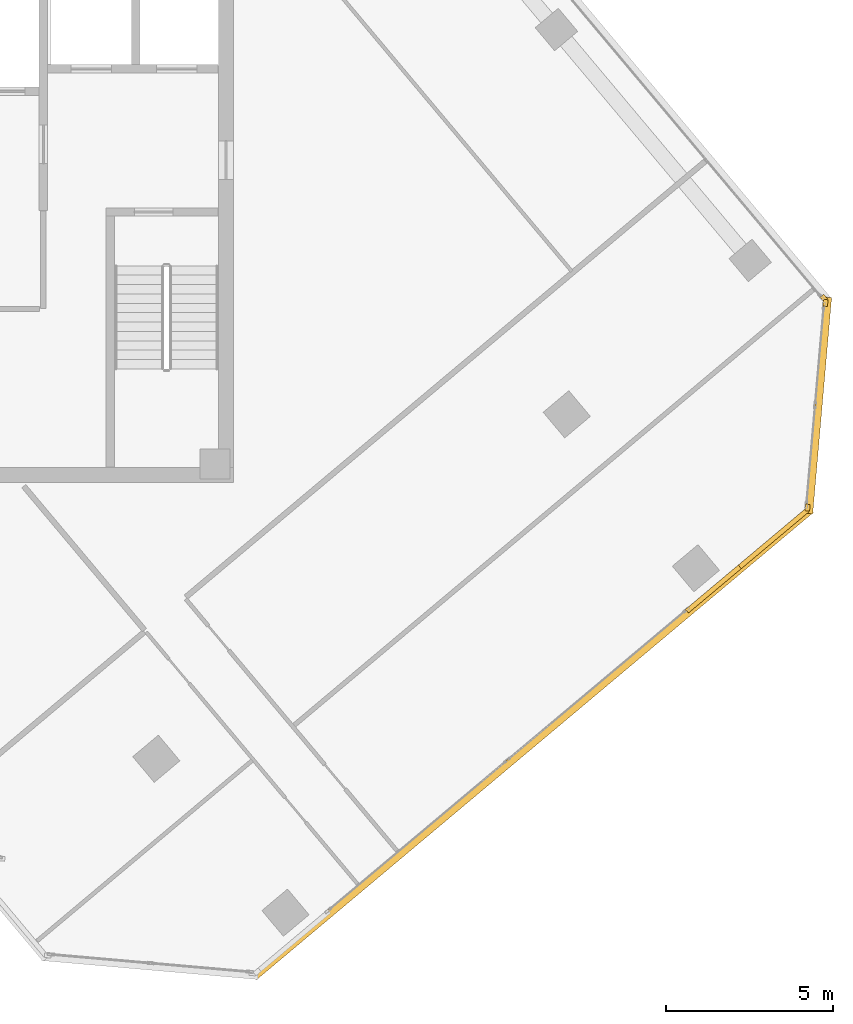
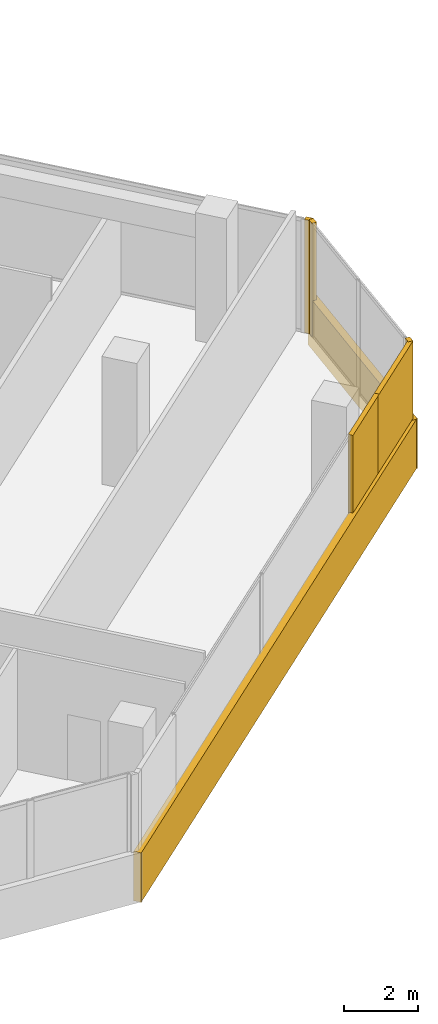
# One storey, part 16 of 17: 7 coverings.
"""IFC4 building model written with IfcOpenShell, lengths in metres."""

from ifc_helpers import new_model, si_unit, direction, frame, origin, origin_2d, place, context, subcontext, project, spatial, rectangle, extrude, source, transform, mapped, material, layer, layer_set, type_object, element, save


model = new_model("IFC4")

# Units and contexts
model_context = context("Model", 3, precision=1e-05, world=origin(), true_north=direction((0.0, 1.0)))
body_context = subcontext(model_context, "Body", "Model", "MODEL_VIEW")
ifc_project = project(units=[si_unit("LENGTHUNIT", "METRE"), si_unit("AREAUNIT", "SQUARE_METRE"), si_unit("VOLUMEUNIT", "CUBIC_METRE"), si_unit("PLANEANGLEUNIT", "RADIAN"), si_unit("MASSUNIT", "GRAM", prefix="KILO")], contexts=[model_context])

# Site, building, storey
site_placement = place(None, origin())
site = spatial("IfcSite", under=ifc_project, at=site_placement, CompositionType="ELEMENT")
building_placement = place(site_placement, origin())
building = spatial("IfcBuilding", under=site, at=building_placement, Name="Torre Montelarca", CompositionType="ELEMENT")
storey_placement = place(building_placement, frame((0.0, 0.0, 271.0)))
storey = spatial("IfcBuildingStorey", under=building, at=storey_placement, Name="L61", CompositionType="ELEMENT", Elevation=271.0)

# Coverings
ifc_material = material(Name="Bush-hammered warm white precast concrete C45/55", Category="concrete")
ifc_layer = layer(ifc_material, 0.139892578125, Name="Bush-hammered warm white precast concrete C45/55", Category="concrete")
ifc_layer_set = layer_set([ifc_layer], Name="Bush-hammered warm white precast concrete C45/55")
covering_type = type_object("IfcCoveringType", Name="COV-TRAY-CLAD", PredefinedType="CLADDING", material=ifc_layer_set)
shared_shape_1 = source(origin(), body_context, "Body", "SweptSolid", [
    extrude(rectangle(XDim=6.48388671875, YDim=0.219970703125, at=origin_2d()), origin(), (0.0, 0.0, 1.0), 1.6201171875),
])
covering_1_placement = place(storey_placement, frame((44.4658203125, 26.2998046875, -0.449951171875), z_axis=(0.0, 0.0, 1.0), x_axis=(0.087147049306, 0.996195458631, 0.0)))
element("IfcCovering", 1, at=covering_1_placement, inside=storey, type_object=covering_type, Name="L61 Architectural White Spandrel Tray Band TRYBOT-07", PredefinedType="CLADDING", context=body_context, shape_type="MappedRepresentation", body=[
    mapped(shared_shape_1, transform((0.0, 0.0, 0.0), scale=1.0)),
])
shared_shape_2 = source(origin(), body_context, "Body", "SweptSolid", [
    extrude(rectangle(XDim=0.199951171875, YDim=0.139892578125, at=origin_2d()), origin(), (0.0, 0.0, 1.0), 3.719970703125),
])
for number, where, z_axis, x_axis, name in (
    (2, (44.138916015625, 23.25048828125, 0.0), (0.0, 0.0, 1.0), (0.08716095881, 0.996194241732, 0.0), "L61 Architectural Column Pier Cladding E07-1"),
    (3, (44.67333984375, 29.359375, 0.0), (0.0, 0.0, 1.0), (0.08716095881, 0.996194241732, 0.0), "L61 Architectural Column Pier Cladding E07-2"),
    (4, (44.629638671875, 29.497802734375, 0.0), (0.0, 0.0, 1.0), (-0.642787609687, 0.766044443119, 0.0), "L61 Architectural Column Pier Cladding E08-1"),
):
    element("IfcCovering", number, at=place(storey_placement, frame(where, z_axis=z_axis, x_axis=x_axis)), inside=storey, type_object=covering_type, Name=name, PredefinedType="CLADDING", context=body_context, shape_type="MappedRepresentation", body=[
        mapped(shared_shape_2, transform((0.0, 0.0, 0.0), scale=1.0)),
    ])
shared_shape_3 = source(origin(), body_context, "Body", "SweptSolid", [
    extrude(rectangle(XDim=2.06005859375, YDim=0.139892578125, at=origin_2d()), origin(), (0.0, 0.0, 1.0), 3.719970703125),
])
covering_2_placement = place(storey_placement, frame((41.326171875, 20.81787109375, 0.0), z_axis=(0.0, 0.0, 1.0), x_axis=(0.766044443119, 0.642787609687, 0.0)))
element("IfcCovering", 5, at=covering_2_placement, inside=storey, type_object=covering_type, Name="L61 Architectural Column Pier Cladding E06-3", PredefinedType="CLADDING", context=body_context, shape_type="MappedRepresentation", body=[
    mapped(shared_shape_3, transform((0.0, 0.0, 0.0), scale=1.0)),
])
shared_shape_4 = source(origin(), body_context, "Body", "SweptSolid", [
    extrude(rectangle(XDim=2.754150390625, YDim=0.139892578125, at=origin_2d()), origin(), (0.0, 0.0, 1.0), 3.719970703125),
])
covering_3_placement = place(storey_placement, frame((43.093505859375, 22.30078125, 0.0), z_axis=(0.0, 0.0, 1.0), x_axis=(0.766044443119, 0.642787609687, 0.0)))
element("IfcCovering", 6, at=covering_3_placement, inside=storey, type_object=covering_type, Name="L61 Architectural Column Pier Cladding E06-4", PredefinedType="CLADDING", context=body_context, shape_type="MappedRepresentation", body=[
    mapped(shared_shape_4, transform((0.0, 0.0, 0.0), scale=1.0)),
])
shared_shape_5 = source(origin(), body_context, "Body", "SweptSolid", [
    extrude(rectangle(XDim=21.719970703125, YDim=0.219970703125, at=origin_2d()), origin(), (0.0, 0.0, 1.0), 1.6201171875),
])
covering_4_placement = place(storey_placement, frame((35.92578125, 16.208251953125, -0.449951171875), z_axis=(0.0, 0.0, 1.0), x_axis=(0.766045564994, 0.642786272686, 0.0)))
element("IfcCovering", 7, at=covering_4_placement, inside=storey, type_object=covering_type, Name="L61 Architectural White Spandrel Tray Band TRYBOT-06", PredefinedType="CLADDING", context=body_context, shape_type="MappedRepresentation", body=[
    mapped(shared_shape_5, transform((0.0, 0.0, 0.0), scale=1.0)),
])

save(model, "model.ifc")
